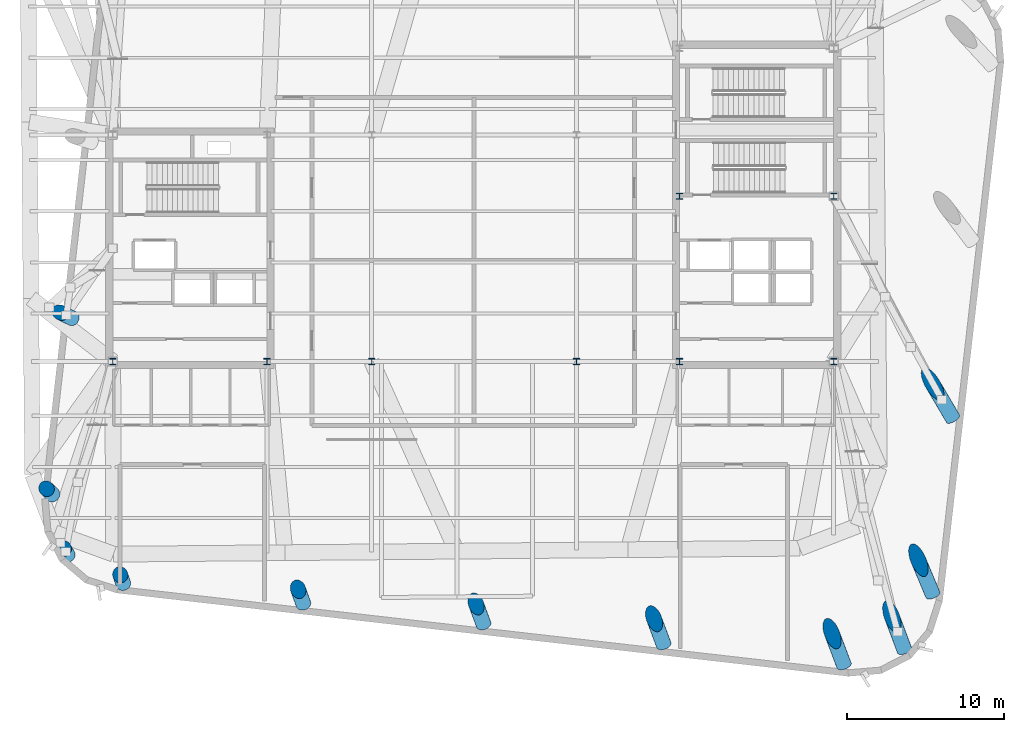
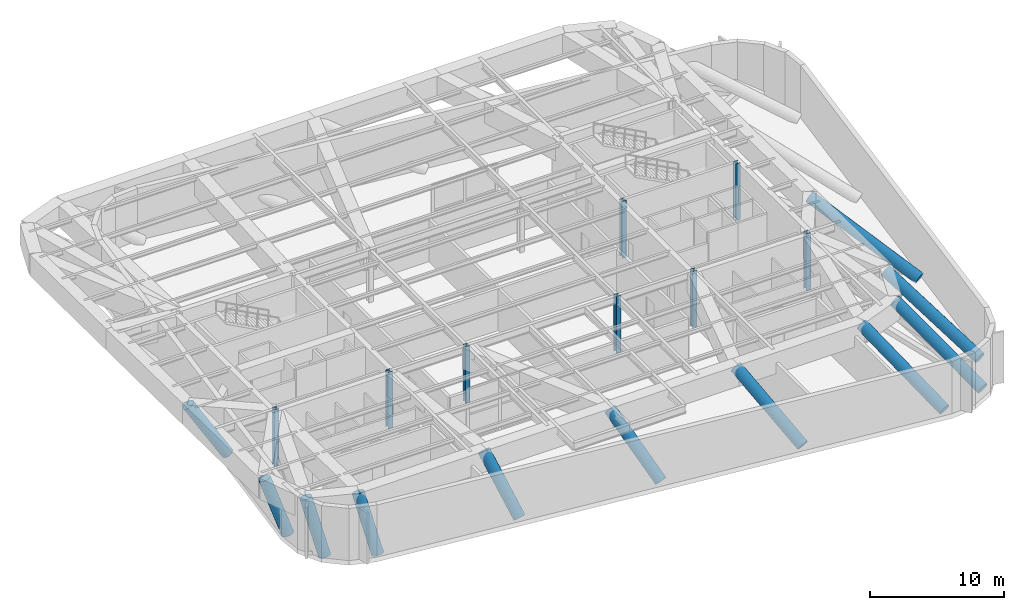
# One storey, part 1 of 12: 19 columns.
"""IFC4 building model written with IfcOpenShell, lengths in metres."""

from ifc_helpers import new_model, si_unit, direction, frame, origin, origin_2d, place, context, subcontext, project, spatial, circle, i_section, extrude, material, material_profile, profile_set, type_object, element, save


model = new_model("IFC4")

# Units and contexts
model_context = context("Model", 3, precision=1e-05, world=origin(), true_north=direction((0.0, 1.0)))
body_context = subcontext(model_context, "Body", "Model", "MODEL_VIEW")
ifc_project = project(units=[si_unit("LENGTHUNIT", "METRE"), si_unit("AREAUNIT", "SQUARE_METRE"), si_unit("VOLUMEUNIT", "CUBIC_METRE"), si_unit("PLANEANGLEUNIT", "RADIAN"), si_unit("MASSUNIT", "GRAM", prefix="KILO")], contexts=[model_context])

# Site, building, storey
site_placement = place(None, origin())
site = spatial("IfcSite", under=ifc_project, at=site_placement, CompositionType="ELEMENT")
building_placement = place(site_placement, origin())
building = spatial("IfcBuilding", under=site, at=building_placement, Name="Kolvaren Arena Tower", CompositionType="ELEMENT")
storey_placement = place(building_placement, frame((0.0, 0.0, 269.699951171875)))
storey = spatial("IfcBuildingStorey", under=building, at=storey_placement, Name="L66", CompositionType="ELEMENT", Elevation=269.699951171875)

# Columns
ifc_material_1 = material(Name="Steel ASTM A913 Grade 65", Category="steel")
ifc_material_profile_1 = material_profile(ifc_material_1, i_section(OverallWidth=0.39892578125, OverallDepth=0.39306640625, WebThickness=0.022705078125, FlangeThickness=0.03662109375, FilletRadius=0.02001953125, at=origin_2d()), Name="W360x287")
ifc_profile_set_1 = profile_set([ifc_material_profile_1], Name="Steel ASTM A913 Grade 65")
column_type_1 = type_object("IfcColumnType", Name="SCOL-Z4", PredefinedType="COLUMN", material=ifc_profile_set_1)
for number, where, z_axis, x_axis, name in (
    (1, (14.550048828125, 19.449951171875, -0.419921875), (0.0, 0.0, 1.0), (1.0, 0.0, 0.0), "Core Boundary Column WC-SW (L66)"),
    (2, (24.35009765625, 19.449951171875, -0.419921875), (0.0, 0.0, 1.0), (1.0, 0.0, 0.0), "Core Boundary Column WC-SE (L66)"),
    (3, (50.550048828125, 19.449951171875, -0.419921875), (0.0, 0.0, 1.0), (1.0, 0.0, 0.0), "Core Boundary Column EC-SW (L66)"),
    (4, (60.35009765625, 19.449951171875, -0.419921875), (0.0, 0.0, 1.0), (1.0, 0.0, 0.0), "Core Boundary Column EC-SE (L66)"),
    (5, (50.550048828125, 29.949951171875, -0.419921875), (0.0, 0.0, 1.0), (1.0, 0.0, 0.0), "Core Boundary Column EC-MW (L66)"),
    (6, (60.35009765625, 29.949951171875, -0.419921875), (0.0, 0.0, 1.0), (1.0, 0.0, 0.0), "Core Boundary Column EC-ME (L66)"),
    (7, (31.0, 19.449951171875, -0.419921875), (0.0, 0.0, 1.0), (1.0, 0.0, 0.0), "Interior Gravity Column TC-SW (L66)"),
    (8, (44.0, 19.449951171875, -0.419921875), (0.0, 0.0, 1.0), (1.0, 0.0, 0.0), "Interior Gravity Column TC-SE (L66)"),
):
    element("IfcColumn", number, at=place(storey_placement, frame(where, z_axis=z_axis, x_axis=x_axis)), inside=storey, type_object=column_type_1, Name=name, PredefinedType="COLUMN", context=body_context, shape_type="SweptSolid", body=[
        extrude(i_section(OverallWidth=0.39892578125, OverallDepth=0.39306640625, WebThickness=0.022705078125, FlangeThickness=0.03662109375, FilletRadius=0.02001953125, at=origin_2d()), origin(), (0.0, 0.0, 1.0), 5.169921875),
    ])
ifc_material_2 = material(Name="Concrete 80 MPa", Category="concrete")
ifc_material_profile_2 = material_profile(ifc_material_2, circle(Radius=0.47998046875, at=origin_2d()), Name="RC-CIRC-960")
ifc_profile_set_2 = profile_set([ifc_material_profile_2], Name="Concrete 80 MPa")
column_type_2 = type_object("IfcColumnType", Name="TRCOL-C960", PredefinedType="COLUMN", material=ifc_profile_set_2)
column_1_placement = place(storey_placement, frame((15.207763671875, 5.350830078125, -0.187744140625), z_axis=(-0.120840168881, 0.364867382693, 0.92318440554), x_axis=(-0.949292127021, -0.314395384152, 0.0)))
element("IfcColumn", 9, at=column_1_placement, inside=storey, type_object=column_type_2, Name="Cantilever Block Inclined Transfer Column 01 (L66)", PredefinedType="COLUMN", context=body_context, shape_type="SweptSolid", body=[
    extrude(circle(Radius=0.47998046875, at=origin_2d()), origin(), (0.0, 0.0, 1.0), 5.097412109375),
])
column_2_placement = place(storey_placement, frame((26.65869140625, 4.046142578125, -0.0908203125), z_axis=(-0.205244638376, 0.573148121095, 0.793332130764), x_axis=(-0.941455999234, -0.337135879885, 0.0)))
element("IfcColumn", 10, at=column_2_placement, inside=storey, type_object=column_type_2, Name="Cantilever Block Inclined Transfer Column 02 (L66)", PredefinedType="COLUMN", context=body_context, shape_type="SweptSolid", body=[
    extrude(circle(Radius=0.47998046875, at=origin_2d()), origin(), (0.0, 0.0, 1.0), 5.68701171875),
])
column_3_placement = place(storey_placement, frame((38.109619140625, 2.741455078125, -0.025390625), z_axis=(-0.259501200742, 0.703591478358, 0.661527141088), x_axis=(-0.938220517325, -0.346037947155, 0.0)))
element("IfcColumn", 11, at=column_3_placement, inside=storey, type_object=column_type_2, Name="Cantilever Block Inclined Transfer Column 03 (L66)", PredefinedType="COLUMN", context=body_context, shape_type="SweptSolid", body=[
    extrude(circle(Radius=0.47998046875, at=origin_2d()), origin(), (0.0, 0.0, 1.0), 6.622314453125),
])
column_4_placement = place(storey_placement, frame((49.560302734375, 1.436767578125, 0.01708984375), z_axis=(-0.292214716361, 0.780171799201, 0.553120713112), x_axis=(-0.936467110828, -0.350755399583, 0.0)))
element("IfcColumn", 12, at=column_4_placement, inside=storey, type_object=column_type_2, Name="Cantilever Block Inclined Transfer Column 04 (L66)", PredefinedType="COLUMN", context=body_context, shape_type="SweptSolid", body=[
    extrude(circle(Radius=0.47998046875, at=origin_2d()), origin(), (0.0, 0.0, 1.0), 7.7666015625),
])
column_5_placement = place(storey_placement, frame((61.011474609375, 0.132080078125, 0.044921875), z_axis=(-0.312368448743, 0.825846386811, 0.469471721855), x_axis=(-0.935328973768, -0.353779183715, 0.0)))
element("IfcColumn", 13, at=column_5_placement, inside=storey, type_object=column_type_2, Name="Cantilever Block Inclined Transfer Column 05 (L66)", PredefinedType="COLUMN", context=body_context, shape_type="SweptSolid", body=[
    extrude(circle(Radius=0.47998046875, at=origin_2d()), origin(), (0.0, 0.0, 1.0), 9.031982421875),
])
column_6_placement = place(storey_placement, frame((64.853759765625, 1.094482421875, 0.051513671875), z_axis=(-0.31380077532, 0.837654155529, 0.447062175914), x_axis=(-0.936446566902, -0.35081024406, 0.0)))
element("IfcColumn", 14, at=column_6_placement, inside=storey, type_object=column_type_2, Name="Cantilever Block Inclined Transfer Column 06 (L66)", PredefinedType="COLUMN", context=body_context, shape_type="SweptSolid", body=[
    extrude(circle(Radius=0.47998046875, at=origin_2d()), origin(), (0.0, 0.0, 1.0), 9.455078125),
])
column_7_placement = place(storey_placement, frame((66.656005859375, 4.6220703125, 0.055908203125), z_axis=(-0.349440401501, 0.831312436301, 0.432216426168), x_axis=(-0.921867576202, -0.387505060543, 0.0)))
element("IfcColumn", 15, at=column_7_placement, inside=storey, type_object=column_type_2, Name="Cantilever Block Inclined Transfer Column 07 (L66)", PredefinedType="COLUMN", context=body_context, shape_type="SweptSolid", body=[
    extrude(circle(Radius=0.47998046875, at=origin_2d()), origin(), (0.0, 0.0, 1.0), 9.759521484375),
])
column_8_placement = place(storey_placement, frame((67.931396484375, 15.816162109375, 0.062744140625), z_axis=(-0.463587443769, 0.786802104855, 0.407466722292), x_axis=(-0.861569016034, -0.507640454072, 0.0)))
element("IfcColumn", 16, at=column_8_placement, inside=storey, type_object=column_type_2, Name="Cantilever Block Inclined Transfer Column 08 (L66)", PredefinedType="COLUMN", context=body_context, shape_type="SweptSolid", body=[
    extrude(circle(Radius=0.47998046875, at=origin_2d()), origin(), (0.0, 0.0, 1.0), 10.31884765625),
])
column_9_placement = place(storey_placement, frame((11.9931640625, 22.189453125, -0.120849609375), z_axis=(-0.486534987591, 0.234886707319, 0.841493874354), x_axis=(-0.434760695991, -0.900546021712, 0.0)))
element("IfcColumn", 17, at=column_9_placement, inside=storey, type_object=column_type_2, Name="Cantilever Block Inclined Transfer Column 20 (L66)", PredefinedType="COLUMN", context=body_context, shape_type="SweptSolid", body=[
    extrude(circle(Radius=0.47998046875, at=origin_2d()), origin(), (0.0, 0.0, 1.0), 5.432861328125),
])
column_10_placement = place(storey_placement, frame((10.7177734375, 10.995361328125, -0.200439453125), z_axis=(-0.251010281591, 0.251058524966, 0.93486012621), x_axis=(-0.707174723226, -0.707038832618, 0.0)))
element("IfcColumn", 18, at=column_10_placement, inside=storey, type_object=column_type_2, Name="Cantilever Block Inclined Transfer Column 21 (L66)", PredefinedType="COLUMN", context=body_context, shape_type="SweptSolid", body=[
    extrude(circle(Radius=0.47998046875, at=origin_2d()), origin(), (0.0, 0.0, 1.0), 5.060546875),
])
column_11_placement = place(storey_placement, frame((11.680419921875, 7.15283203125, -0.213623046875), z_axis=(-0.160922970021, 0.281651605448, 0.945926091652), x_axis=(-0.868270768517, -0.496090589044, 0.0)))
element("IfcColumn", 19, at=column_11_placement, inside=storey, type_object=column_type_2, Name="Cantilever Block Inclined Transfer Column 22 (L66)", PredefinedType="COLUMN", context=body_context, shape_type="SweptSolid", body=[
    extrude(circle(Radius=0.47998046875, at=origin_2d()), origin(), (0.0, 0.0, 1.0), 5.029296875),
])

save(model, "model.ifc")
